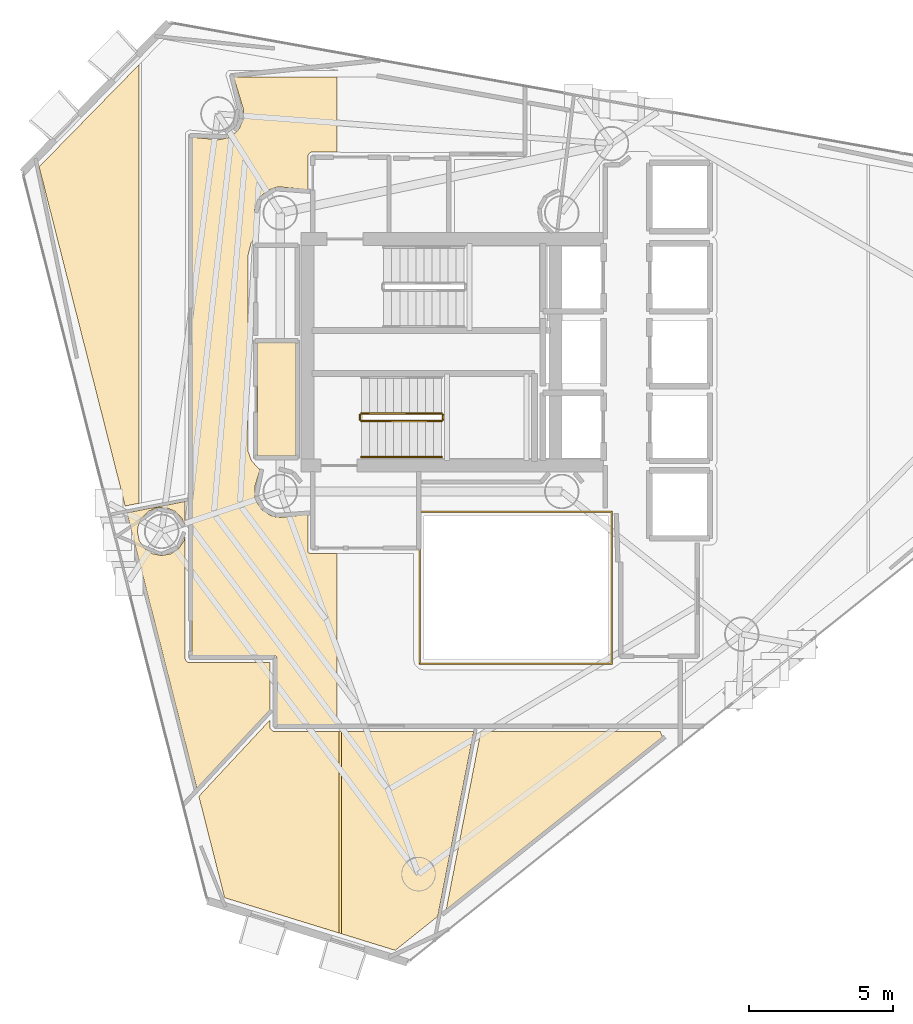
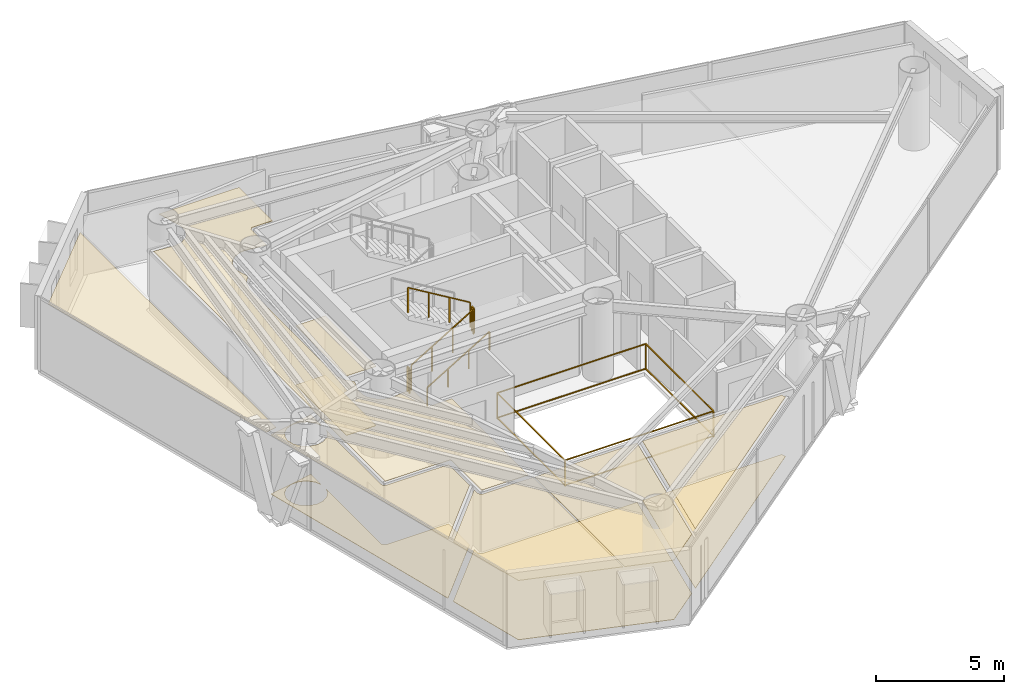
# One storey, part 20 of 22: 11 coverings, 6 railings.
"""IFC4 building model written with IfcOpenShell, lengths in metres."""

from ifc_helpers import new_model, si_unit, direction, frame, origin, origin_2d, place, context, subcontext, project, spatial, polyline, rectangle, outline, extrude, material, layer, layer_set, type_object, element, save


model = new_model("IFC4")

# Units and contexts
model_context = context("Model", 3, precision=1e-05, world=origin(), true_north=direction((0.0, 1.0)))
body_context = subcontext(model_context, "Body", "Model", "MODEL_VIEW")
ifc_project = project(units=[si_unit("LENGTHUNIT", "METRE"), si_unit("AREAUNIT", "SQUARE_METRE"), si_unit("VOLUMEUNIT", "CUBIC_METRE"), si_unit("PLANEANGLEUNIT", "RADIAN"), si_unit("MASSUNIT", "GRAM", prefix="KILO")], contexts=[model_context])

# Site, building, storey
site_placement = place(None, origin())
site = spatial("IfcSite", under=ifc_project, at=site_placement, CompositionType="ELEMENT")
building_placement = place(site_placement, origin())
building = spatial("IfcBuilding", under=site, at=building_placement, Name="Qianvela Tower", CompositionType="ELEMENT")
storey_placement = place(building_placement, frame((0.0, 0.0, 207.699951171875)))
storey = spatial("IfcBuildingStorey", under=building, at=storey_placement, Name="L53", CompositionType="ELEMENT", Elevation=207.699951171875)

# Coverings
ifc_material_1 = material(Name="Perforated Mineral Acoustic Ceiling Tile")
ifc_layer_1 = layer(ifc_material_1, 0.02490234375)
ifc_layer_set_1 = layer_set([ifc_layer_1], Name="Perforated Mineral Acoustic Ceiling Tile")
covering_type_1 = type_object("IfcCoveringType", Name="COV-CEIL-ACOUSTIC-25", PredefinedType="CEILING", material=ifc_layer_set_1)
covering_1_placement = place(storey_placement, frame((0.0, 0.0, 2.81494140625)))
element("IfcCovering", 1, at=covering_1_placement, inside=storey, type_object=covering_type_1, Name="L53 Acoustic Ceiling L53 Core Tea Pantry West", PredefinedType="CEILING", context=body_context, shape_type="SweptSolid", body=[
    extrude(outline(polyline([(27.800048828125, 25.080078125), (27.800048828125, 29.0400390625), (29.139892578125, 29.0400390625), (29.139892578125, 25.080078125), (27.800048828125, 25.080078125)])), origin(), (0.0, 0.0, 1.0), 0.025146484375),
])
covering_2_placement = place(storey_placement, frame((0.0, 0.0, 2.81494140625)))
element("IfcCovering", 2, at=covering_2_placement, inside=storey, type_object=covering_type_1, Name="L53 Acoustic Ceiling Bay 1 L53 Floor Corridor", PredefinedType="CEILING", context=body_context, shape_type="SweptSolid", body=[
    extrude(outline(polyline([(27.311767578125, 36.808837890625), (27.313720703125, 36.81640625), (27.31494140625, 36.82421875), (27.315185546875, 36.83203125), (27.315185546875, 37.152099609375), (27.31494140625, 37.159912109375), (27.313720703125, 37.16748046875), (27.311767578125, 37.17529296875), (26.979736328125, 38.27001953125), (30.58203125, 38.27001953125), (30.58203125, 35.658203125), (29.68798828125, 35.660888671875), (29.680419921875, 35.660400390625), (29.672607421875, 35.6591796875), (29.664794921875, 35.657470703125), (29.657470703125, 35.65478515625), (29.650390625, 35.6513671875), (29.6435546875, 35.6474609375), (29.63720703125, 35.642578125), (29.63134765625, 35.637451171875), (29.626220703125, 35.631591796875), (29.576171875, 35.57080078125), (29.571533203125, 35.564453125), (29.5673828125, 35.5576171875), (29.564208984375, 35.550537109375), (29.561279296875, 35.543212890625), (29.5595703125, 35.53564453125), (29.558349609375, 35.52783203125), (29.55810546875, 35.52001953125), (29.55810546875, 34.35595703125), (28.60791015625, 34.44970703125), (28.60009765625, 34.449951171875), (28.59228515625, 34.44970703125), (28.43212890625, 34.433837890625), (28.42431640625, 34.4326171875), (28.416748046875, 34.430908203125), (28.409423828125, 34.42822265625), (28.11376953125, 34.3056640625), (28.106689453125, 34.302490234375), (28.10009765625, 34.29833984375), (28.09375, 34.293701171875), (28.087890625, 34.288330078125), (27.861572265625, 34.06201171875), (27.8564453125, 34.056396484375), (27.851806640625, 34.050048828125), (27.84765625, 34.043212890625), (27.84423828125, 34.0361328125), (27.7216796875, 33.740478515625), (27.71923828125, 33.733154296875), (27.71728515625, 33.7255859375), (27.716064453125, 33.7177734375), (27.700439453125, 33.557861328125), (27.699951171875, 33.550048828125), (27.700439453125, 33.542236328125), (27.716064453125, 33.382080078125), (27.71728515625, 33.37451171875), (27.71923828125, 33.36669921875), (27.865478515625, 32.884521484375), (27.60107421875, 32.52685546875), (27.5966796875, 32.5205078125), (27.593017578125, 32.513427734375), (27.590087890625, 32.50634765625), (27.587890625, 32.4990234375), (27.472412109375, 32.0458984375), (27.47119140625, 32.039306640625), (27.47021484375, 32.03271484375), (27.469970703125, 32.026123046875), (27.469970703125, 25.291259765625), (27.47021484375, 25.2841796875), (27.47119140625, 25.27734375), (27.47265625, 25.2705078125), (27.474853515625, 25.263916015625), (27.59326171875, 24.938232421875), (27.59619140625, 24.93115234375), (27.599853515625, 24.92431640625), (27.604248046875, 24.91796875), (27.609130859375, 24.911865234375), (27.89111328125, 24.599853515625), (27.71923828125, 24.033203125), (27.71728515625, 24.025634765625), (27.716064453125, 24.017822265625), (27.7158203125, 24.010009765625), (27.7158203125, 23.68994140625), (27.716064453125, 23.68212890625), (27.71728515625, 23.67431640625), (27.71923828125, 23.666748046875), (27.765869140625, 23.512939453125), (27.7685546875, 23.505615234375), (27.77197265625, 23.49853515625), (27.77587890625, 23.49169921875), (27.95361328125, 23.2255859375), (27.958251953125, 23.219482421875), (27.963623046875, 23.213623046875), (27.969482421875, 23.208251953125), (27.9755859375, 23.20361328125), (28.24169921875, 23.02587890625), (28.24853515625, 23.02197265625), (28.255615234375, 23.0185546875), (28.262939453125, 23.015869140625), (28.416748046875, 22.96923828125), (28.42431640625, 22.96728515625), (28.43212890625, 22.966064453125), (28.59228515625, 22.950439453125), (28.60009765625, 22.949951171875), (28.60791015625, 22.950439453125), (29.55810546875, 23.0439453125), (29.55810546875, 21.780029296875), (29.558349609375, 21.772216796875), (29.5595703125, 21.764404296875), (29.561279296875, 21.7568359375), (29.564208984375, 21.74951171875), (29.5673828125, 21.7421875), (29.571533203125, 21.735595703125), (29.576171875, 21.729248046875), (29.581298828125, 21.723388671875), (29.587158203125, 21.71826171875), (29.593505859375, 21.71337890625), (29.600341796875, 21.70947265625), (29.607421875, 21.7060546875), (29.61474609375, 21.703369140625), (29.622314453125, 21.701416015625), (29.630126953125, 21.700439453125), (29.637939453125, 21.699951171875), (30.58203125, 21.699951171875), (30.58203125, 15.72998046875), (28.47998046875, 15.72998046875), (28.47998046875, 18.050048828125), (28.4794921875, 18.057861328125), (28.478515625, 18.065673828125), (28.4765625, 18.0732421875), (28.473876953125, 18.08056640625), (28.470703125, 18.087646484375), (28.466552734375, 18.094482421875), (28.4619140625, 18.100830078125), (28.45654296875, 18.106689453125), (28.45068359375, 18.11181640625), (28.4443359375, 18.116455078125), (28.437744140625, 18.12060546875), (28.4306640625, 18.123779296875), (28.423095703125, 18.126708984375), (28.41552734375, 18.12841796875), (28.40771484375, 18.129638671875), (28.39990234375, 18.1298828125), (25.530029296875, 18.1298828125), (25.530029296875, 36.180419921875), (26.423095703125, 36.09228515625), (26.430908203125, 36.092041015625), (26.438720703125, 36.09228515625), (26.446533203125, 36.093505859375), (26.760498046875, 36.156005859375), (26.76806640625, 36.157958984375), (26.775390625, 36.160400390625), (26.782470703125, 36.163818359375), (26.789306640625, 36.16796875), (27.055419921875, 36.345703125), (27.0615234375, 36.350341796875), (27.0673828125, 36.355712890625), (27.07275390625, 36.361328125), (27.174560546875, 36.485595703125), (27.17919921875, 36.491943359375), (27.183349609375, 36.498779296875), (27.186767578125, 36.505859375), (27.30908203125, 36.801513671875), (27.311767578125, 36.808837890625)])), origin(), (0.0, 0.0, 1.0), 0.025146484375),
])
covering_3_placement = place(storey_placement, frame((0.0, 0.0, 2.81494140625)))
element("IfcCovering", 3, at=covering_3_placement, inside=storey, type_object=covering_type_1, Name="L53 Acoustic Ceiling Collaborative Co-working Office L53-01", PredefinedType="CEILING", context=body_context, shape_type="SweptSolid", body=[
    extrude(outline(polyline([(25.2900390625, 22.3369140625), (25.2900390625, 18.050048828125), (25.290283203125, 18.042236328125), (25.29150390625, 18.034423828125), (25.29345703125, 18.02685546875), (25.296142578125, 18.019287109375), (25.319580078125, 17.962890625), (25.322998046875, 17.955810546875), (25.326904296875, 17.948974609375), (25.33154296875, 17.942626953125), (25.3369140625, 17.93701171875), (25.3427734375, 17.931640625), (25.34912109375, 17.927001953125), (25.355712890625, 17.9228515625), (25.36279296875, 17.91943359375), (25.41943359375, 17.89599609375), (25.4267578125, 17.893310546875), (25.434326171875, 17.8916015625), (25.442138671875, 17.890380859375), (25.449951171875, 17.889892578125), (28.239990234375, 17.889892578125), (28.239990234375, 16.248779296875), (25.695556640625, 13.520263671875), (23.262451171875, 23.108154296875), (25.2900390625, 23.502197265625), (25.2900390625, 22.706298828125), (25.264892578125, 22.7060546875), (25.177490234375, 22.913330078125), (25.17431640625, 22.92041015625), (25.17041015625, 22.927001953125), (25.165771484375, 22.93310546875), (25.160400390625, 22.938720703125), (24.95068359375, 23.1484375), (24.945068359375, 23.15380859375), (24.938720703125, 23.158447265625), (24.931884765625, 23.16259765625), (24.9248046875, 23.165771484375), (24.65087890625, 23.279296875), (24.6435546875, 23.281982421875), (24.635986328125, 23.283935546875), (24.628173828125, 23.284912109375), (24.620361328125, 23.285400390625), (24.32373046875, 23.285400390625), (24.31591796875, 23.284912109375), (24.30810546875, 23.283935546875), (24.300537109375, 23.281982421875), (24.293212890625, 23.279296875), (24.019287109375, 23.165771484375), (24.01220703125, 23.16259765625), (24.00537109375, 23.158447265625), (23.9990234375, 23.15380859375), (23.9931640625, 23.1484375), (23.783447265625, 22.938720703125), (23.7783203125, 22.93310546875), (23.773681640625, 22.9267578125), (23.76953125, 22.919921875), (23.76611328125, 22.912841796875), (23.652587890625, 22.638916015625), (23.64990234375, 22.631591796875), (23.648193359375, 22.623779296875), (23.64697265625, 22.6162109375), (23.63232421875, 22.4677734375), (23.632080078125, 22.4599609375), (23.63232421875, 22.4521484375), (23.633544921875, 22.4443359375), (23.69140625, 22.153564453125), (23.693359375, 22.14599609375), (23.69580078125, 22.138427734375), (23.69921875, 22.13134765625), (23.703369140625, 22.124755859375), (23.8681640625, 21.878173828125), (23.872802734375, 21.871826171875), (23.8779296875, 21.865966796875), (23.8837890625, 21.86083984375), (23.89013671875, 21.856201171875), (24.13671875, 21.69140625), (24.143310546875, 21.687255859375), (24.150390625, 21.683837890625), (24.157958984375, 21.681396484375), (24.16552734375, 21.679443359375), (24.456298828125, 21.62158203125), (24.464111328125, 21.620361328125), (24.471923828125, 21.6201171875), (24.479736328125, 21.620361328125), (24.487548828125, 21.62158203125), (24.7783203125, 21.679443359375), (24.7861328125, 21.681396484375), (24.79345703125, 21.683837890625), (24.800537109375, 21.687255859375), (24.807373046875, 21.69140625), (25.0537109375, 21.856201171875), (25.060302734375, 21.86083984375), (25.06591796875, 21.865966796875), (25.0712890625, 21.871826171875), (25.075927734375, 21.878173828125), (25.24072265625, 22.124755859375), (25.24462890625, 22.13134765625), (25.248046875, 22.138427734375), (25.25048828125, 22.145751953125), (25.25244140625, 22.1533203125), (25.2900390625, 22.3369140625)])), origin(), (0.0, 0.0, 1.0), 0.025146484375),
])
covering_4_placement = place(storey_placement, frame((0.0, 0.0, 2.81494140625)))
element("IfcCovering", 4, at=covering_4_placement, inside=storey, type_object=covering_type_1, Name="L53 Acoustic Ceiling Bay 1 Quiet Desk Workspace L53-02", PredefinedType="CEILING", context=body_context, shape_type="SweptSolid", body=[
    extrude(outline(polyline([(28.240234375, 15.89111328125), (28.240478515625, 15.64208984375), (28.24072265625, 15.63427734375), (28.241943359375, 15.62646484375), (28.243896484375, 15.618896484375), (28.24658203125, 15.611572265625), (28.249755859375, 15.6044921875), (28.25390625, 15.59765625), (28.258544921875, 15.59130859375), (28.263916015625, 15.585693359375), (28.335693359375, 15.513916015625), (28.34130859375, 15.508544921875), (28.34765625, 15.50390625), (28.3544921875, 15.499755859375), (28.361572265625, 15.49658203125), (28.368896484375, 15.493896484375), (28.37646484375, 15.491943359375), (28.38427734375, 15.49072265625), (28.39208984375, 15.490478515625), (30.648193359375, 15.490234375), (30.648193359375, 8.481201171875), (26.662353515625, 9.710693359375), (25.76708984375, 13.239013671875), (28.240234375, 15.89111328125)])), origin(), (0.0, 0.0, 1.0), 0.025146484375),
])
covering_5_placement = place(storey_placement, frame((0.0, 0.0, 2.81494140625)))
element("IfcCovering", 5, at=covering_5_placement, inside=storey, type_object=covering_type_1, Name="L53 Acoustic Ceiling Bay 2 Quiet Desk Workspace L53-02", PredefinedType="CEILING", context=body_context, shape_type="SweptSolid", body=[
    extrude(outline(polyline([(35.332763671875, 15.489990234375), (34.083251953125, 9.06201171875), (32.6005859375, 7.878662109375), (30.72802734375, 8.456298828125), (30.72802734375, 15.490234375), (35.332763671875, 15.489990234375)])), origin(), (0.0, 0.0, 1.0), 0.025146484375),
])
covering_6_placement = place(storey_placement, frame((0.0, 0.0, 2.81494140625)))
element("IfcCovering", 6, at=covering_6_placement, inside=storey, type_object=covering_type_1, Name="L53 Acoustic Ceiling Academic Cellular Office L53-03", PredefinedType="CEILING", context=body_context, shape_type="SweptSolid", body=[
    extrude(outline(polyline([(41.90673828125, 15.305908203125), (34.37744140625, 9.296875), (35.581298828125, 15.489990234375), (41.82861328125, 15.489990234375), (41.90673828125, 15.305908203125)])), origin(), (0.0, 0.0, 1.0), 0.025146484375),
])
covering_7_placement = place(storey_placement, frame((0.0, 0.0, 2.81494140625)))
element("IfcCovering", 7, at=covering_7_placement, inside=storey, type_object=covering_type_1, Name="L53 Acoustic Ceiling Bay 1 Student Fitness Gym L53-06", PredefinedType="CEILING", context=body_context, shape_type="SweptSolid", body=[
    extrude(outline(polyline([(23.202392578125, 23.34521484375), (20.206298828125, 35.150146484375), (23.68896484375, 38.70947265625), (23.68896484375, 23.439697265625), (23.202392578125, 23.34521484375)])), origin(), (0.0, 0.0, 1.0), 0.025146484375),
])
ifc_material_2 = material(Name="Engineered Acoustic Oak Timber Flooring", Category="wood")
ifc_layer_2 = layer(ifc_material_2, 0.02001953125)
ifc_layer_set_2 = layer_set([ifc_layer_2], Name="Engineered Acoustic Oak Timber Flooring")
covering_type_2 = type_object("IfcCoveringType", Name="COV-FLOOR-OAK-20", PredefinedType="FLOORING", material=ifc_layer_set_2)
covering_8_placement = place(storey_placement, origin())
element("IfcCovering", 8, at=covering_8_placement, inside=storey, type_object=covering_type_2, Name="L53 Finish Flooring L53 Core Tea Pantry West", PredefinedType="FLOORING", context=body_context, shape_type="SweptSolid", body=[
    extrude(outline(polyline([(27.800048828125, 25.080078125), (27.800048828125, 29.0400390625), (29.139892578125, 29.0400390625), (29.139892578125, 25.080078125), (27.800048828125, 25.080078125)])), origin(), (0.0, 0.0, 1.0), 0.02001953125),
])
covering_9_placement = place(storey_placement, origin())
element("IfcCovering", 9, at=covering_9_placement, inside=storey, type_object=covering_type_2, Name="L53 Finish Flooring Collaborative Co-working Office L53-01", PredefinedType="FLOORING", context=body_context, shape_type="SweptSolid", body=[
    extrude(outline(polyline([(25.2900390625, 22.3369140625), (25.2900390625, 18.050048828125), (25.290283203125, 18.042236328125), (25.29150390625, 18.034423828125), (25.29345703125, 18.02685546875), (25.296142578125, 18.019287109375), (25.319580078125, 17.962890625), (25.322998046875, 17.955810546875), (25.326904296875, 17.948974609375), (25.33154296875, 17.942626953125), (25.3369140625, 17.93701171875), (25.3427734375, 17.931640625), (25.34912109375, 17.927001953125), (25.355712890625, 17.9228515625), (25.36279296875, 17.91943359375), (25.41943359375, 17.89599609375), (25.4267578125, 17.893310546875), (25.434326171875, 17.8916015625), (25.442138671875, 17.890380859375), (25.449951171875, 17.889892578125), (28.239990234375, 17.889892578125), (28.239990234375, 16.248779296875), (25.695556640625, 13.520263671875), (23.262451171875, 23.108154296875), (25.2900390625, 23.502197265625), (25.2900390625, 22.706298828125), (25.264892578125, 22.7060546875), (25.177490234375, 22.913330078125), (25.17431640625, 22.92041015625), (25.17041015625, 22.927001953125), (25.165771484375, 22.93310546875), (25.160400390625, 22.938720703125), (24.95068359375, 23.1484375), (24.945068359375, 23.15380859375), (24.938720703125, 23.158447265625), (24.931884765625, 23.16259765625), (24.9248046875, 23.165771484375), (24.65087890625, 23.279296875), (24.6435546875, 23.281982421875), (24.635986328125, 23.283935546875), (24.628173828125, 23.284912109375), (24.620361328125, 23.285400390625), (24.32373046875, 23.285400390625), (24.31591796875, 23.284912109375), (24.30810546875, 23.283935546875), (24.300537109375, 23.281982421875), (24.293212890625, 23.279296875), (24.019287109375, 23.165771484375), (24.01220703125, 23.16259765625), (24.00537109375, 23.158447265625), (23.9990234375, 23.15380859375), (23.9931640625, 23.1484375), (23.783447265625, 22.938720703125), (23.7783203125, 22.93310546875), (23.773681640625, 22.9267578125), (23.76953125, 22.919921875), (23.76611328125, 22.912841796875), (23.652587890625, 22.638916015625), (23.64990234375, 22.631591796875), (23.648193359375, 22.623779296875), (23.64697265625, 22.6162109375), (23.63232421875, 22.4677734375), (23.632080078125, 22.4599609375), (23.63232421875, 22.4521484375), (23.633544921875, 22.4443359375), (23.69140625, 22.153564453125), (23.693359375, 22.14599609375), (23.69580078125, 22.138427734375), (23.69921875, 22.13134765625), (23.703369140625, 22.124755859375), (23.8681640625, 21.878173828125), (23.872802734375, 21.871826171875), (23.8779296875, 21.865966796875), (23.8837890625, 21.86083984375), (23.89013671875, 21.856201171875), (24.13671875, 21.69140625), (24.143310546875, 21.687255859375), (24.150390625, 21.683837890625), (24.157958984375, 21.681396484375), (24.16552734375, 21.679443359375), (24.456298828125, 21.62158203125), (24.464111328125, 21.620361328125), (24.471923828125, 21.6201171875), (24.479736328125, 21.620361328125), (24.487548828125, 21.62158203125), (24.7783203125, 21.679443359375), (24.7861328125, 21.681396484375), (24.79345703125, 21.683837890625), (24.800537109375, 21.687255859375), (24.807373046875, 21.69140625), (25.0537109375, 21.856201171875), (25.060302734375, 21.86083984375), (25.06591796875, 21.865966796875), (25.0712890625, 21.871826171875), (25.075927734375, 21.878173828125), (25.24072265625, 22.124755859375), (25.24462890625, 22.13134765625), (25.248046875, 22.138427734375), (25.25048828125, 22.145751953125), (25.25244140625, 22.1533203125), (25.2900390625, 22.3369140625)])), origin(), (0.0, 0.0, 1.0), 0.02001953125),
])
covering_10_placement = place(storey_placement, origin())
element("IfcCovering", 10, at=covering_10_placement, inside=storey, type_object=covering_type_2, Name="L53 Finish Flooring Quiet Desk Workspace L53-02", PredefinedType="FLOORING", context=body_context, shape_type="SweptSolid", body=[
    extrude(outline(polyline([(25.76708984375, 13.239013671875), (28.240234375, 15.89111328125), (28.240478515625, 15.64208984375), (28.24072265625, 15.63427734375), (28.241943359375, 15.62646484375), (28.243896484375, 15.618896484375), (28.24658203125, 15.611572265625), (28.249755859375, 15.6044921875), (28.25390625, 15.59765625), (28.258544921875, 15.59130859375), (28.263916015625, 15.585693359375), (28.335693359375, 15.513916015625), (28.34130859375, 15.508544921875), (28.34765625, 15.50390625), (28.3544921875, 15.499755859375), (28.361572265625, 15.49658203125), (28.368896484375, 15.493896484375), (28.37646484375, 15.491943359375), (28.38427734375, 15.49072265625), (28.39208984375, 15.490478515625), (35.332763671875, 15.489990234375), (34.083251953125, 9.06201171875), (32.6005859375, 7.878662109375), (26.662353515625, 9.710693359375), (25.76708984375, 13.239013671875)])), origin(), (0.0, 0.0, 1.0), 0.02001953125),
])
covering_11_placement = place(storey_placement, origin())
element("IfcCovering", 11, at=covering_11_placement, inside=storey, type_object=covering_type_2, Name="L53 Finish Flooring Academic Cellular Office L53-03", PredefinedType="FLOORING", context=body_context, shape_type="SweptSolid", body=[
    extrude(outline(polyline([(41.90673828125, 15.305908203125), (34.37744140625, 9.296875), (35.581298828125, 15.489990234375), (41.82861328125, 15.489990234375), (41.90673828125, 15.305908203125)])), origin(), (0.0, 0.0, 1.0), 0.02001953125),
])

# Railings
ifc_material_3 = material(Name="Laminated Safety Glass and Stainless Steel 316", Category="steel")
railing_type_1 = type_object("IfcRailingType", Name="RL-ATRIUM-GUARD-1250", PredefinedType="GUARDRAIL", material=ifc_material_3)
railing_1_placement = place(storey_placement, frame((33.4599609375, 17.860107421875, 0.0)))
element("IfcRailing", 12, at=railing_1_placement, inside=storey, type_object=railing_type_1, Name="L53 Atrium Edge Guardrail 1", PredefinedType="GUARDRAIL", context=body_context, shape_type="SweptSolid", body=[
    extrude(rectangle(XDim=0.050048828125, YDim=0.0400390625, at=origin_2d()), frame((0.0, 0.0, 1.22998046875), z_axis=(0.0, 1.0, 0.0), x_axis=(-1.0, 0.0, 0.0)), (0.0, 0.0, 1.0), 5.27978515625),
    extrude(rectangle(XDim=0.050048828125, YDim=0.0400390625, at=origin_2d()), frame((0.0, 0.0, 0.050048828125), z_axis=(0.0, 1.0, 0.0), x_axis=(-1.0, 0.0, 0.0)), (0.0, 0.0, 1.0), 5.27978515625),
    extrude(rectangle(XDim=0.050048828125, YDim=0.0400390625, at=origin_2d()), frame((0.0, 5.27978515625, 1.22998046875), z_axis=(1.0, 0.0, 0.0), x_axis=(0.0, 1.0, 0.0)), (0.0, 0.0, 1.0), 6.679931640625),
    extrude(rectangle(XDim=0.050048828125, YDim=0.0400390625, at=origin_2d()), frame((0.0, 5.27978515625, 0.050048828125), z_axis=(1.0, 0.0, 0.0), x_axis=(0.0, 1.0, 0.0)), (0.0, 0.0, 1.0), 6.679931640625),
    extrude(rectangle(XDim=0.050048828125, YDim=0.0400390625, at=origin_2d()), frame((6.679931640625, 5.27978515625, 1.22998046875), z_axis=(0.0, -1.0, 0.0), x_axis=(1.0, 0.0, 0.0)), (0.0, 0.0, 1.0), 5.27978515625),
    extrude(rectangle(XDim=0.050048828125, YDim=0.0400390625, at=origin_2d()), frame((6.679931640625, 5.27978515625, 0.050048828125), z_axis=(0.0, -1.0, 0.0), x_axis=(1.0, 0.0, 0.0)), (0.0, 0.0, 1.0), 5.27978515625),
    extrude(rectangle(XDim=0.050048828125, YDim=0.0400390625, at=origin_2d()), frame((6.679931640625, 0.0, 1.22998046875), z_axis=(-1.0, 0.0, 0.0), x_axis=(0.0, -1.0, 0.0)), (0.0, 0.0, 1.0), 6.679931640625),
    extrude(rectangle(XDim=0.050048828125, YDim=0.0400390625, at=origin_2d()), frame((6.679931640625, 0.0, 0.050048828125), z_axis=(-1.0, 0.0, 0.0), x_axis=(0.0, -1.0, 0.0)), (0.0, 0.0, 1.0), 6.679931640625),
    extrude(rectangle(XDim=0.050048828125, YDim=0.050048828125, at=origin_2d()), origin(), (0.0, 0.0, 1.0), 1.2099609375),
    extrude(rectangle(XDim=0.050048828125, YDim=0.050048828125, at=origin_2d()), frame((0.0, 5.27978515625, 0.0)), (0.0, 0.0, 1.0), 1.2099609375),
    extrude(rectangle(XDim=0.050048828125, YDim=0.050048828125, at=origin_2d()), frame((6.679931640625, 5.27978515625, 0.0)), (0.0, 0.0, 1.0), 1.2099609375),
    extrude(rectangle(XDim=0.050048828125, YDim=0.050048828125, at=origin_2d()), frame((6.679931640625, 0.0, 0.0)), (0.0, 0.0, 1.0), 1.2099609375),
])
ifc_material_4 = material(Name="Painted Tubular Steel Q355B", Category="steel")
railing_type_2 = type_object("IfcRailingType", Name="RL-STAIR-GUARD-1200", PredefinedType="GUARDRAIL", material=ifc_material_4)
railing_2_placement = place(storey_placement, frame((31.419921875, 26.300048828125, 0.168212890625)))
element("IfcRailing", 13, at=railing_2_placement, inside=storey, type_object=railing_type_2, Name="L53 ST-2 stair guard 1", PredefinedType="GUARDRAIL", context=body_context, shape_type="SweptSolid", body=[
    extrude(rectangle(XDim=0.050048828125, YDim=0.0400390625, at=origin_2d()), frame((0.0, 0.0, 1.179931640625), z_axis=(0.857242210791, 0.0, 0.514913383045), x_axis=(0.0, 1.0, 0.0)), (0.0, 0.0, 1.0), 3.266357421875),
    extrude(rectangle(XDim=0.050048828125, YDim=0.050048828125, at=origin_2d()), origin(), (0.0, 0.0, 1.0), 1.159912109375),
    extrude(rectangle(XDim=0.050048828125, YDim=0.050048828125, at=origin_2d()), frame((0.933349609375, 0.0, 0.560546875)), (0.0, 0.0, 1.0), 1.159912109375),
    extrude(rectangle(XDim=0.050048828125, YDim=0.050048828125, at=origin_2d()), frame((1.86669921875, 0.0, 1.121337890625)), (0.0, 0.0, 1.0), 1.159912109375),
    extrude(rectangle(XDim=0.050048828125, YDim=0.050048828125, at=origin_2d()), frame((2.800048828125, 0.0, 1.681884765625)), (0.0, 0.0, 1.0), 1.159912109375),
])
railing_3_placement = place(storey_placement, frame((34.27001953125, 26.35009765625, 1.85009765625)))
element("IfcRailing", 14, at=railing_3_placement, inside=storey, type_object=railing_type_2, Name="L53 ST-2 stair guard 2", PredefinedType="GUARDRAIL", context=body_context, shape_type="SweptSolid", body=[
    extrude(rectangle(XDim=0.050048828125, YDim=0.0400390625, at=origin_2d()), frame((0.0, 0.0, 1.179931640625), z_axis=(0.0, 1.0, 0.0), x_axis=(-1.0, 0.0, 0.0)), (0.0, 0.0, 1.0), 0.159912109375),
    extrude(rectangle(XDim=0.050048828125, YDim=0.050048828125, at=origin_2d()), origin(), (0.0, 0.0, 1.0), 1.159912109375),
    extrude(rectangle(XDim=0.050048828125, YDim=0.050048828125, at=origin_2d()), frame((0.0, 0.159912109375, 0.0)), (0.0, 0.0, 1.0), 1.159912109375),
])
railing_4_placement = place(storey_placement, frame((34.219970703125, 26.56005859375, 2.018310546875)))
element("IfcRailing", 15, at=railing_4_placement, inside=storey, type_object=railing_type_2, Name="L53 ST-2 stair guard 3", PredefinedType="GUARDRAIL", context=body_context, shape_type="SweptSolid", body=[
    extrude(rectangle(XDim=0.050048828125, YDim=0.0400390625, at=origin_2d()), frame((0.0, 0.0, 1.179931640625), z_axis=(-0.857275202839, 0.0, 0.514858452973), x_axis=(0.0, -1.0, 0.0)), (0.0, 0.0, 1.0), 3.26611328125),
    extrude(rectangle(XDim=0.050048828125, YDim=0.050048828125, at=origin_2d()), origin(), (0.0, 0.0, 1.0), 1.159912109375),
    extrude(rectangle(XDim=0.050048828125, YDim=0.050048828125, at=origin_2d()), frame((-0.933349609375, 0.0, 0.560546875)), (0.0, 0.0, 1.0), 1.159912109375),
    extrude(rectangle(XDim=0.050048828125, YDim=0.050048828125, at=origin_2d()), frame((-1.86669921875, 0.0, 1.12109375)), (0.0, 0.0, 1.0), 1.159912109375),
    extrude(rectangle(XDim=0.050048828125, YDim=0.050048828125, at=origin_2d()), frame((-2.800048828125, 0.0, 1.681640625)), (0.0, 0.0, 1.0), 1.159912109375),
])
railing_5_placement = place(storey_placement, frame((31.3701171875, 26.35009765625, 0.0)))
element("IfcRailing", 16, at=railing_5_placement, inside=storey, type_object=railing_type_2, Name="L53 ST-2 stair guard 4", PredefinedType="GUARDRAIL", context=body_context, shape_type="SweptSolid", body=[
    extrude(rectangle(XDim=0.050048828125, YDim=0.0400390625, at=origin_2d()), frame((0.0, 0.0, 1.179931640625), z_axis=(0.0, 1.0, 0.0), x_axis=(-1.0, 0.0, 0.0)), (0.0, 0.0, 1.0), 0.159912109375),
    extrude(rectangle(XDim=0.050048828125, YDim=0.050048828125, at=origin_2d()), origin(), (0.0, 0.0, 1.0), 1.159912109375),
    extrude(rectangle(XDim=0.050048828125, YDim=0.050048828125, at=origin_2d()), frame((0.0, 0.159912109375, 0.0)), (0.0, 0.0, 1.0), 1.159912109375),
])
ifc_material_5 = material(Name="Brushed Stainless Steel 304", Category="steel")
railing_type_3 = type_object("IfcRailingType", Name="RL-STAIR-HANDRAIL-900", PredefinedType="HANDRAIL", material=ifc_material_5)
railing_6_placement = place(storey_placement, frame((31.419921875, 25.050048828125, 0.168212890625)))
element("IfcRailing", 17, at=railing_6_placement, inside=storey, type_object=railing_type_3, Name="L53 ST-2 stair handrail 1", PredefinedType="HANDRAIL", context=body_context, shape_type="SweptSolid", body=[
    extrude(rectangle(XDim=0.050048828125, YDim=0.0400390625, at=origin_2d()), frame((0.0, 0.0, 0.8798828125), z_axis=(0.857242210791, 0.0, 0.514913383045), x_axis=(0.0, 1.0, 0.0)), (0.0, 0.0, 1.0), 3.266357421875),
    extrude(rectangle(XDim=0.050048828125, YDim=0.050048828125, at=origin_2d()), origin(), (0.0, 0.0, 1.0), 0.85986328125),
    extrude(rectangle(XDim=0.050048828125, YDim=0.050048828125, at=origin_2d()), frame((0.933349609375, 0.0, 0.560546875)), (0.0, 0.0, 1.0), 0.85986328125),
    extrude(rectangle(XDim=0.050048828125, YDim=0.050048828125, at=origin_2d()), frame((1.86669921875, 0.0, 1.121337890625)), (0.0, 0.0, 1.0), 0.85986328125),
    extrude(rectangle(XDim=0.050048828125, YDim=0.050048828125, at=origin_2d()), frame((2.800048828125, 0.0, 1.681884765625)), (0.0, 0.0, 1.0), 0.85986328125),
])

save(model, "model.ifc")
